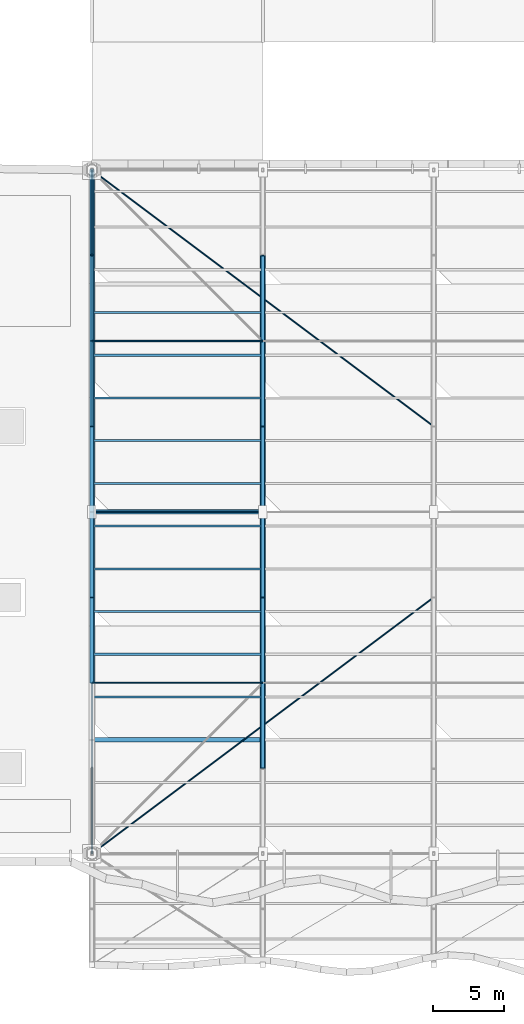
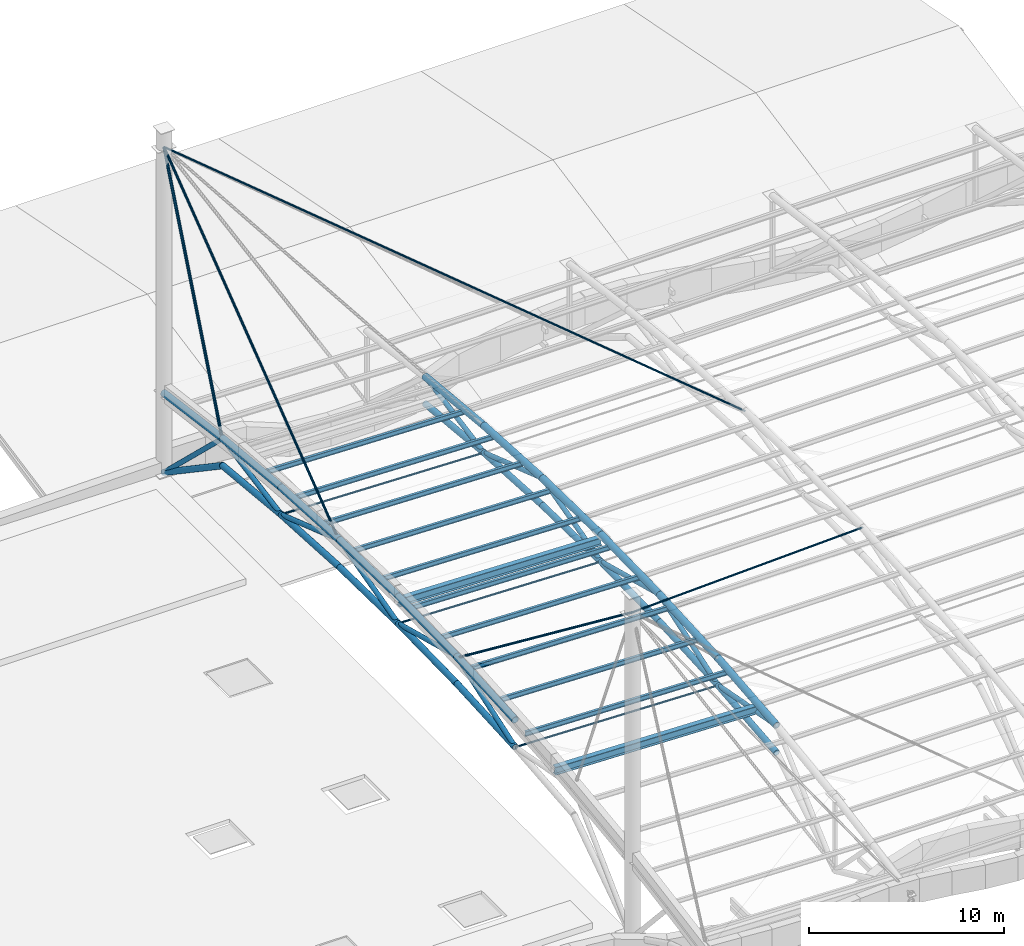
# One storey, part 5 of 29: 54 members, 2 beams.
"""IFC4 building model written with IfcOpenShell, lengths in metres."""

from ifc_helpers import new_model, si_unit, direction, frame, origin, origin_2d, place, context, subcontext, project, spatial, hollow_circle, i_section, extrude, material, material_profile, profile_set, type_object, element, save


model = new_model("IFC4")

# Units and contexts
model_context = context("Model", 3, precision=1e-05, world=origin(), true_north=direction((0.0, 1.0)))
body_context = subcontext(model_context, "Body", "Model", "MODEL_VIEW")
ifc_project = project(units=[si_unit("LENGTHUNIT", "METRE"), si_unit("AREAUNIT", "SQUARE_METRE"), si_unit("VOLUMEUNIT", "CUBIC_METRE"), si_unit("PLANEANGLEUNIT", "RADIAN"), si_unit("MASSUNIT", "GRAM", prefix="KILO")], contexts=[model_context])

# Site, building, storey
site_placement = place(None, origin())
site = spatial("IfcSite", under=ifc_project, at=site_placement, CompositionType="ELEMENT")
building_placement = place(site_placement, origin())
building = spatial("IfcBuilding", under=site, at=building_placement, Name="Keelwater Ferry Terminal", CompositionType="ELEMENT")
storey_placement = place(building_placement, frame((0.0, 0.0, 27.89990234375)))
storey = spatial("IfcBuildingStorey", under=building, at=storey_placement, Name="RF", CompositionType="ELEMENT", Elevation=27.89990234375)

# Members
ifc_material_1 = material(Name="Steel S355", Category="steel")
ifc_material_profile_1 = material_profile(ifc_material_1, hollow_circle(Radius=0.136474609375, WallThickness=0.012451171875, at=origin_2d()), Name="CHS 273x12.5")
ifc_profile_set_1 = profile_set([ifc_material_profile_1], Name="Steel S355")
member_type_1 = type_object("IfcMemberType", Name="BR2 CHS 273x12.5", PredefinedType="BRACE", material=ifc_profile_set_1)
member_1_placement = place(storey_placement, frame((48.0, 54.0, -8.411865234375), z_axis=(0.0, 0.946488800041, 0.322736659519), x_axis=(-1.0, 0.0, 0.0)))
element("IfcMember", 1, at=member_1_placement, inside=storey, type_object=member_type_1, Name="Structural Member MB-RF-0017", PredefinedType="BRACE", context=body_context, shape_type="SweptSolid", body=[
    extrude(hollow_circle(Radius=0.136474609375, WallThickness=0.012451171875, at=origin_2d()), origin(), (0.0, 0.0, 1.0), 6.339111328125),
])
for number, where, z_axis, x_axis, name in (
    (2, (48.0, 60.0, -6.365966796875), (0.0, 0.96687447052, -0.255252342315), (-1.0, 0.0, 0.0), "Structural Member MB-RF-0020"),
    (3, (48.0, 66.0, -7.949951171875), (0.0, 0.96687447052, 0.255252342315), (-1.0, 0.0, 0.0), "Structural Member MB-RF-0023"),
):
    element("IfcMember", number, at=place(storey_placement, frame(where, z_axis=z_axis, x_axis=x_axis)), inside=storey, type_object=member_type_1, Name=name, PredefinedType="BRACE", context=body_context, shape_type="SweptSolid", body=[
        extrude(hollow_circle(Radius=0.136474609375, WallThickness=0.012451171875, at=origin_2d()), origin(), (0.0, 0.0, 1.0), 6.20556640625),
    ])
member_2_placement = place(storey_placement, frame((48.0, 72.0, -6.365966796875), z_axis=(0.0, 0.946488800041, -0.322736659519), x_axis=(-1.0, 0.0, 0.0)))
element("IfcMember", 4, at=member_2_placement, inside=storey, type_object=member_type_1, Name="Structural Member MB-RF-0026", PredefinedType="BRACE", context=body_context, shape_type="SweptSolid", body=[
    extrude(hollow_circle(Radius=0.136474609375, WallThickness=0.012451171875, at=origin_2d()), origin(), (0.0, 0.0, 1.0), 6.339111328125),
])
member_3_placement = place(storey_placement, frame((48.0, 78.0, -8.411865234375), z_axis=(0.0, 0.982995131621, 0.183631618216), x_axis=(-1.0, 0.0, 0.0)))
element("IfcMember", 5, at=member_3_placement, inside=storey, type_object=member_type_1, Name="Structural Member MB-RF-0029", PredefinedType="BRACE", context=body_context, shape_type="SweptSolid", body=[
    extrude(hollow_circle(Radius=0.136474609375, WallThickness=0.012451171875, at=origin_2d()), origin(), (0.0, 0.0, 1.0), 6.103759765625),
])
member_4_placement = place(storey_placement, frame((48.0, 84.0, -7.291015625), z_axis=(0.0, 0.721460060019, -0.692456050445), x_axis=(-1.0, 0.0, 0.0)))
element("IfcMember", 6, at=member_4_placement, inside=storey, type_object=member_type_1, Name="Structural Member MB-RF-0032", PredefinedType="BRACE", context=body_context, shape_type="SweptSolid", body=[
    extrude(hollow_circle(Radius=0.136474609375, WallThickness=0.012451171875, at=origin_2d()), origin(), (0.0, 0.0, 1.0), 8.31640625),
])
member_5_placement = place(storey_placement, frame((60.0, 48.0, -7.6240234375), z_axis=(0.0, 0.982966240194, -0.183786209053), x_axis=(-1.0, 0.0, 0.0)))
element("IfcMember", 7, at=member_5_placement, inside=storey, type_object=member_type_1, Name="Structural Member MB-RF-0046", PredefinedType="BRACE", context=body_context, shape_type="SweptSolid", body=[
    extrude(hollow_circle(Radius=0.136474609375, WallThickness=0.012451171875, at=origin_2d()), origin(), (0.0, 0.0, 1.0), 6.10400390625),
])
member_6_placement = place(storey_placement, frame((60.0, 54.0, -8.745849609375), z_axis=(0.0, 0.946441734907, 0.322874654356), x_axis=(-1.0, 0.0, 0.0)))
element("IfcMember", 8, at=member_6_placement, inside=storey, type_object=member_type_1, Name="Structural Member MB-RF-0049", PredefinedType="BRACE", context=body_context, shape_type="SweptSolid", body=[
    extrude(hollow_circle(Radius=0.136474609375, WallThickness=0.012451171875, at=origin_2d()), origin(), (0.0, 0.0, 1.0), 6.339599609375),
])
for number, where, z_axis, x_axis, name in (
    (9, (60.0, 60.0, -6.698974609375), (0.0, 0.966835622723, -0.255399449166), (-1.0, 0.0, 0.0), "Structural Member MB-RF-0052"),
    (10, (60.0, 66.0, -8.283935546875), (0.0, 0.966835622723, 0.255399449166), (-1.0, 0.0, 0.0), "Structural Member MB-RF-0055"),
):
    element("IfcMember", number, at=place(storey_placement, frame(where, z_axis=z_axis, x_axis=x_axis)), inside=storey, type_object=member_type_1, Name=name, PredefinedType="BRACE", context=body_context, shape_type="SweptSolid", body=[
        extrude(hollow_circle(Radius=0.136474609375, WallThickness=0.012451171875, at=origin_2d()), origin(), (0.0, 0.0, 1.0), 6.205810546875),
    ])
member_7_placement = place(storey_placement, frame((60.0, 72.0, -6.698974609375), z_axis=(0.0, 0.946441734907, -0.322874654356), x_axis=(-1.0, 0.0, 0.0)))
element("IfcMember", 11, at=member_7_placement, inside=storey, type_object=member_type_1, Name="Structural Member MB-RF-0058", PredefinedType="BRACE", context=body_context, shape_type="SweptSolid", body=[
    extrude(hollow_circle(Radius=0.136474609375, WallThickness=0.012451171875, at=origin_2d()), origin(), (0.0, 0.0, 1.0), 6.339599609375),
])
member_8_placement = place(storey_placement, frame((60.0, 78.0, -8.745849609375), z_axis=(0.0, 0.982966240194, 0.183786209053), x_axis=(-1.0, 0.0, 0.0)))
element("IfcMember", 12, at=member_8_placement, inside=storey, type_object=member_type_1, Name="Structural Member MB-RF-0061", PredefinedType="BRACE", context=body_context, shape_type="SweptSolid", body=[
    extrude(hollow_circle(Radius=0.136474609375, WallThickness=0.012451171875, at=origin_2d()), origin(), (0.0, 0.0, 1.0), 6.10400390625),
])

# Beams
ifc_material_2 = material(Name="Steel S355", Category="steel")
ifc_material_profile_2 = material_profile(ifc_material_2, i_section(OverallWidth=0.300048828125, OverallDepth=0.5, WebThickness=0.014404296875, FlangeThickness=0.028076171875, at=origin_2d()), Name="HEB 500")
ifc_profile_set_2 = profile_set([ifc_material_profile_2], Name="Steel S355")
beam_type = type_object("IfcBeamType", Name="G5 HEB 500", PredefinedType="BEAM", material=ifc_profile_set_2)
for number, where, z_axis, x_axis, name in (
    (13, (48.0, 50.0, -7.421875), (0.999612913888, 0.0, -0.027821257857), (0.0, 1.0, 0.0), "Beam BM-RF-1659"),
    (14, (48.0, 66.0, -6.599853515625), (0.999612913888, 0.0, -0.027821257857), (0.0, 1.0, 0.0), "Beam BM-RF-1661"),
):
    element("IfcBeam", number, at=place(storey_placement, frame(where, z_axis=z_axis, x_axis=x_axis)), inside=storey, type_object=beam_type, Name=name, PredefinedType="BEAM", context=body_context, shape_type="SweptSolid", body=[
        extrude(i_section(OverallWidth=0.300048828125, OverallDepth=0.5, WebThickness=0.014404296875, FlangeThickness=0.028076171875, at=origin_2d()), origin(), (0.0, 0.0, 1.0), 12.004638671875),
    ])

# Members
ifc_material_3 = material(Name="Steel S355", Category="steel")
ifc_material_profile_3 = material_profile(ifc_material_3, i_section(OverallWidth=0.14990234375, OverallDepth=0.300048828125, WebThickness=0.007080078125, FlangeThickness=0.0107421875, at=origin_2d()), Name="IPE 300")
ifc_profile_set_3 = profile_set([ifc_material_profile_3], Name="Steel S355")
member_type_2 = type_object("IfcMemberType", Name="PR1 IPE 300", PredefinedType="PURLIN", material=ifc_profile_set_3)
for number, where, z_axis, x_axis, name in (
    (15, (48.0, 53.0, -6.962890625), (0.999615172935, 0.0, -0.02773997184), (0.0, 1.0, 0.0), "Structural Member MB-RF-0259"),
    (16, (48.0, 56.0, -6.740966796875), (0.999612913888, 0.0, -0.027821257857), (0.0, 1.0, 0.0), "Structural Member MB-RF-0260"),
    (17, (48.0, 59.0, -6.576904296875), (0.999612913888, 0.0, -0.027821257857), (0.0, 1.0, 0.0), "Structural Member MB-RF-0261"),
    (18, (48.0, 62.0, -6.470947265625), (0.999612913888, 0.0, -0.027821257857), (0.0, 1.0, 0.0), "Structural Member MB-RF-0262"),
    (19, (48.0, 65.0, -6.4228515625), (0.999612913888, 0.0, -0.027821257857), (0.0, 1.0, 0.0), "Structural Member MB-RF-0263"),
    (20, (48.0, 68.0, -6.432861328125), (0.999615172935, 0.0, -0.02773997184), (0.0, 1.0, 0.0), "Structural Member MB-RF-0264"),
    (21, (48.0, 71.0, -6.5), (0.999612913888, 0.0, -0.027821257857), (0.0, 1.0, 0.0), "Structural Member MB-RF-0265"),
    (22, (48.0, 74.0, -6.6259765625), (0.999615172935, 0.0, -0.02773997184), (0.0, 1.0, 0.0), "Structural Member MB-RF-0266"),
    (23, (48.0, 77.0, -6.808837890625), (0.999615172935, 0.0, -0.02773997184), (0.0, 1.0, 0.0), "Structural Member MB-RF-0267"),
    (24, (48.0, 80.0, -7.0498046875), (0.999615172935, 0.0, -0.02773997184), (0.0, 1.0, 0.0), "Structural Member MB-RF-0268"),
):
    element("IfcMember", number, at=place(storey_placement, frame(where, z_axis=z_axis, x_axis=x_axis)), inside=storey, type_object=member_type_2, Name=name, PredefinedType="PURLIN", context=body_context, shape_type="SweptSolid", body=[
        extrude(i_section(OverallWidth=0.14990234375, OverallDepth=0.300048828125, WebThickness=0.007080078125, FlangeThickness=0.0107421875, at=origin_2d()), origin(), (0.0, 0.0, 1.0), 12.004638671875),
    ])
ifc_material_4 = material(Name="Steel S460", Category="steel")
ifc_material_profile_4 = material_profile(ifc_material_4, hollow_circle(Radius=0.084228515625, WallThickness=0.012451171875, at=origin_2d()), Name="CHS 168.3x12.5")
ifc_profile_set_4 = profile_set([ifc_material_profile_4], Name="Steel S460")
member_type_3 = type_object("IfcMemberType", Name="SC1E CHS 168.3x12.5", PredefinedType="USERDEFINED", material=ifc_profile_set_4)
member_9_placement = place(storey_placement, frame((48.0, 90.0, 7.300048828125), z_axis=(0.0, -0.378097227373, -0.925765891926), x_axis=(1.0, 0.0, 0.0)))
element("IfcMember", 25, at=member_9_placement, inside=storey, type_object=member_type_3, Name="Structural Member MB-RF-0393", ObjectType="CABLE", PredefinedType="USERDEFINED", context=body_context, shape_type="SweptSolid", body=[
    extrude(hollow_circle(Radius=0.084228515625, WallThickness=0.012451171875, at=origin_2d()), origin(), (0.0, 0.0, 1.0), 15.868896484375),
])
ifc_material_5 = material(Name="Steel S460", Category="steel")
ifc_material_profile_5 = material_profile(ifc_material_5, hollow_circle(Radius=0.06982421875, WallThickness=0.010009765625, at=origin_2d()), Name="CHS 139.7x10")
ifc_profile_set_5 = profile_set([ifc_material_profile_5], Name="Steel S460")
member_type_4 = type_object("IfcMemberType", Name="SC2E CHS 139.7x10", PredefinedType="USERDEFINED", material=ifc_profile_set_5)
for number, where, z_axis, x_axis, name in (
    (26, (48.0, 42.0, 7.300048828125), (0.0, 0.794333061913, -0.607482499132), (-1.0, 0.0, 0.0), "Structural Member MB-RF-0386"),
    (27, (48.0, 90.0, 7.300048828125), (0.0, -0.794333061913, -0.607482499132), (1.0, 0.0, 0.0), "Structural Member MB-RF-0394"),
):
    element("IfcMember", number, at=place(storey_placement, frame(where, z_axis=z_axis, x_axis=x_axis)), inside=storey, type_object=member_type_4, Name=name, ObjectType="CABLE", PredefinedType="USERDEFINED", context=body_context, shape_type="SweptSolid", body=[
        extrude(hollow_circle(Radius=0.06982421875, WallThickness=0.010009765625, at=origin_2d()), origin(), (0.0, 0.0, 1.0), 22.660400390625),
    ])
ifc_material_6 = material(Name="Steel S460", Category="steel")
ifc_material_profile_6 = material_profile(ifc_material_6, hollow_circle(Radius=0.05712890625, WallThickness=0.010009765625, at=origin_2d()), Name="CHS 114.3x10")
ifc_profile_set_6 = profile_set([ifc_material_profile_6], Name="Steel S460")
member_type_5 = type_object("IfcMemberType", Name="SC3 CHS 114.3x10", PredefinedType="USERDEFINED", material=ifc_profile_set_6)
for number, where, z_axis, x_axis, name in (
    (28, (48.0, 54.0, -8.411865234375), (0.999612913888, 0.0, -0.027821257857), (0.0, 1.0, 0.0), "Structural Member MB-RF-0413"),
    (29, (48.0, 66.0, -7.949951171875), (0.999612913888, 0.0, -0.027821257857), (0.0, 1.0, 0.0), "Structural Member MB-RF-0414"),
    (30, (48.0, 78.0, -8.411865234375), (0.999612913888, 0.0, -0.027821257857), (0.0, 1.0, 0.0), "Structural Member MB-RF-0415"),
):
    element("IfcMember", number, at=place(storey_placement, frame(where, z_axis=z_axis, x_axis=x_axis)), inside=storey, type_object=member_type_5, Name=name, ObjectType="CABLE", PredefinedType="USERDEFINED", context=body_context, shape_type="SweptSolid", body=[
        extrude(hollow_circle(Radius=0.05712890625, WallThickness=0.010009765625, at=origin_2d()), origin(), (0.0, 0.0, 1.0), 12.004638671875),
    ])
ifc_material_7 = material(Name="Steel S460", Category="steel")
ifc_material_profile_7 = material_profile(ifc_material_7, hollow_circle(Radius=0.05712890625, WallThickness=0.010009765625, at=origin_2d()), Name="CHS 114.3x10")
ifc_profile_set_7 = profile_set([ifc_material_profile_7], Name="Steel S460")
member_type_6 = type_object("IfcMemberType", Name="SC3E CHS 114.3x10", PredefinedType="USERDEFINED", material=ifc_profile_set_7)
for number, where, z_axis, x_axis, name in (
    (31, (48.0, 42.0, 7.300048828125), (0.724826663576, 0.543619997682, -0.423206339613), (-0.6, 0.8, 0.0), "Structural Member MB-RF-0392"),
    (32, (48.0, 90.0, 7.300048828125), (0.724826663576, -0.543619997682, -0.423206339613), (0.6, 0.8, 0.0), "Structural Member MB-RF-0398"),
):
    element("IfcMember", number, at=place(storey_placement, frame(where, z_axis=z_axis, x_axis=x_axis)), inside=storey, type_object=member_type_6, Name=name, ObjectType="CABLE", PredefinedType="USERDEFINED", context=body_context, shape_type="SweptSolid", body=[
        extrude(hollow_circle(Radius=0.05712890625, WallThickness=0.010009765625, at=origin_2d()), origin(), (0.0, 0.0, 1.0), 33.111328125),
    ])
ifc_material_8 = material(Name="Steel S355", Category="steel")
ifc_material_profile_8 = material_profile(ifc_material_8, hollow_circle(Radius=0.203125, WallThickness=0.01611328125, at=origin_2d()), Name="CHS 406.4x16")
ifc_profile_set_8 = profile_set([ifc_material_profile_8], Name="Steel S355")
member_type_7 = type_object("IfcMemberType", Name="TC1 CHS 406.4x16", PredefinedType="CHORD", material=ifc_profile_set_8)
member_10_placement = place(storey_placement, frame((48.0, 54.0, -6.7119140625), z_axis=(0.0, 0.998341917567, 0.05756227609), x_axis=(-1.0, 0.0, 0.0)))
element("IfcMember", 33, at=member_10_placement, inside=storey, type_object=member_type_7, Name="Structural Member MB-RF-0015", PredefinedType="CHORD", context=body_context, shape_type="SweptSolid", body=[
    extrude(hollow_circle(Radius=0.203125, WallThickness=0.01611328125, at=origin_2d()), origin(), (0.0, 0.0, 1.0), 6.010009765625),
])
for number, where, z_axis, x_axis, name in (
    (34, (48.0, 60.0, -6.365966796875), (0.0, 0.999813270399, 0.019324190407), (-1.0, 0.0, 0.0), "Structural Member MB-RF-0018"),
    (35, (48.0, 66.0, -6.25), (0.0, 0.999813270399, -0.019324190407), (-1.0, 0.0, 0.0), "Structural Member MB-RF-0021"),
):
    element("IfcMember", number, at=place(storey_placement, frame(where, z_axis=z_axis, x_axis=x_axis)), inside=storey, type_object=member_type_7, Name=name, PredefinedType="CHORD", context=body_context, shape_type="SweptSolid", body=[
        extrude(hollow_circle(Radius=0.203125, WallThickness=0.01611328125, at=origin_2d()), origin(), (0.0, 0.0, 1.0), 6.001220703125),
    ])
member_11_placement = place(storey_placement, frame((48.0, 72.0, -6.365966796875), z_axis=(0.0, 0.998341917567, -0.05756227609), x_axis=(-1.0, 0.0, 0.0)))
element("IfcMember", 36, at=member_11_placement, inside=storey, type_object=member_type_7, Name="Structural Member MB-RF-0024", PredefinedType="CHORD", context=body_context, shape_type="SweptSolid", body=[
    extrude(hollow_circle(Radius=0.203125, WallThickness=0.01611328125, at=origin_2d()), origin(), (0.0, 0.0, 1.0), 6.010009765625),
])
member_12_placement = place(storey_placement, frame((48.0, 78.0, -6.7119140625), z_axis=(0.0, 0.995374532886, -0.096070491211), x_axis=(-1.0, 0.0, 0.0)))
element("IfcMember", 37, at=member_12_placement, inside=storey, type_object=member_type_7, Name="Structural Member MB-RF-0027", PredefinedType="CHORD", context=body_context, shape_type="SweptSolid", body=[
    extrude(hollow_circle(Radius=0.203125, WallThickness=0.01611328125, at=origin_2d()), origin(), (0.0, 0.0, 1.0), 6.02783203125),
])
member_13_placement = place(storey_placement, frame((48.0, 84.0, -7.291015625), z_axis=(0.0, 0.991035625786, -0.133597860849), x_axis=(-1.0, 0.0, 0.0)))
element("IfcMember", 38, at=member_13_placement, inside=storey, type_object=member_type_7, Name="Structural Member MB-RF-0030", PredefinedType="CHORD", context=body_context, shape_type="SweptSolid", body=[
    extrude(hollow_circle(Radius=0.203125, WallThickness=0.01611328125, at=origin_2d()), origin(), (0.0, 0.0, 1.0), 6.05419921875),
])
member_14_placement = place(storey_placement, frame((60.0, 48.0, -7.6240234375), z_axis=(0.0, 0.995390012341, 0.095909975147), x_axis=(-1.0, 0.0, 0.0)))
element("IfcMember", 39, at=member_14_placement, inside=storey, type_object=member_type_7, Name="Structural Member MB-RF-0044", PredefinedType="CHORD", context=body_context, shape_type="SweptSolid", body=[
    extrude(hollow_circle(Radius=0.203125, WallThickness=0.01611328125, at=origin_2d()), origin(), (0.0, 0.0, 1.0), 6.02783203125),
])
member_15_placement = place(storey_placement, frame((60.0, 54.0, -7.0458984375), z_axis=(0.0, 0.998332566702, 0.057724225964), x_axis=(-1.0, 0.0, 0.0)))
element("IfcMember", 40, at=member_15_placement, inside=storey, type_object=member_type_7, Name="Structural Member MB-RF-0047", PredefinedType="CHORD", context=body_context, shape_type="SweptSolid", body=[
    extrude(hollow_circle(Radius=0.203125, WallThickness=0.01611328125, at=origin_2d()), origin(), (0.0, 0.0, 1.0), 6.010009765625),
])
for number, where, z_axis, x_axis, name in (
    (41, (60.0, 60.0, -6.698974609375), (0.0, 0.999816401214, 0.019161520385), (-1.0, 0.0, 0.0), "Structural Member MB-RF-0050"),
    (42, (60.0, 66.0, -6.583984375), (0.0, 0.999816401214, -0.019161520385), (-1.0, 0.0, 0.0), "Structural Member MB-RF-0053"),
):
    element("IfcMember", number, at=place(storey_placement, frame(where, z_axis=z_axis, x_axis=x_axis)), inside=storey, type_object=member_type_7, Name=name, PredefinedType="CHORD", context=body_context, shape_type="SweptSolid", body=[
        extrude(hollow_circle(Radius=0.203125, WallThickness=0.01611328125, at=origin_2d()), origin(), (0.0, 0.0, 1.0), 6.001220703125),
    ])
member_16_placement = place(storey_placement, frame((60.0, 72.0, -6.698974609375), z_axis=(0.0, 0.998332566702, -0.057724225964), x_axis=(-1.0, 0.0, 0.0)))
element("IfcMember", 43, at=member_16_placement, inside=storey, type_object=member_type_7, Name="Structural Member MB-RF-0056", PredefinedType="CHORD", context=body_context, shape_type="SweptSolid", body=[
    extrude(hollow_circle(Radius=0.203125, WallThickness=0.01611328125, at=origin_2d()), origin(), (0.0, 0.0, 1.0), 6.010009765625),
])
member_17_placement = place(storey_placement, frame((60.0, 78.0, -7.0458984375), z_axis=(0.0, 0.995390012341, -0.095909975147), x_axis=(-1.0, 0.0, 0.0)))
element("IfcMember", 44, at=member_17_placement, inside=storey, type_object=member_type_7, Name="Structural Member MB-RF-0059", PredefinedType="CHORD", context=body_context, shape_type="SweptSolid", body=[
    extrude(hollow_circle(Radius=0.203125, WallThickness=0.01611328125, at=origin_2d()), origin(), (0.0, 0.0, 1.0), 6.02783203125),
])
ifc_material_9 = material(Name="Steel S355", Category="steel")
ifc_material_profile_9 = material_profile(ifc_material_9, hollow_circle(Radius=0.177734375, WallThickness=0.01611328125, at=origin_2d()), Name="CHS 355.6x16")
ifc_profile_set_9 = profile_set([ifc_material_profile_9], Name="Steel S355")
member_type_8 = type_object("IfcMemberType", Name="TC2 CHS 355.6x16", PredefinedType="CHORD", material=ifc_profile_set_9)
member_18_placement = place(storey_placement, frame((48.0, 54.0, -8.411865234375), z_axis=(0.0, 0.998341917567, 0.05756227609), x_axis=(-1.0, 0.0, 0.0)))
element("IfcMember", 45, at=member_18_placement, inside=storey, type_object=member_type_8, Name="Structural Member MB-RF-0016", PredefinedType="CHORD", context=body_context, shape_type="SweptSolid", body=[
    extrude(hollow_circle(Radius=0.177734375, WallThickness=0.01611328125, at=origin_2d()), origin(), (0.0, 0.0, 1.0), 6.010009765625),
])
for number, where, z_axis, x_axis, name in (
    (46, (48.0, 60.0, -8.06591796875), (0.0, 0.999813270399, 0.019324190407), (-1.0, 0.0, 0.0), "Structural Member MB-RF-0019"),
    (47, (48.0, 66.0, -7.949951171875), (0.0, 0.999813270399, -0.019324190407), (-1.0, 0.0, 0.0), "Structural Member MB-RF-0022"),
):
    element("IfcMember", number, at=place(storey_placement, frame(where, z_axis=z_axis, x_axis=x_axis)), inside=storey, type_object=member_type_8, Name=name, PredefinedType="CHORD", context=body_context, shape_type="SweptSolid", body=[
        extrude(hollow_circle(Radius=0.177734375, WallThickness=0.01611328125, at=origin_2d()), origin(), (0.0, 0.0, 1.0), 6.001220703125),
    ])
member_19_placement = place(storey_placement, frame((48.0, 72.0, -8.06591796875), z_axis=(0.0, 0.998341917567, -0.05756227609), x_axis=(-1.0, 0.0, 0.0)))
element("IfcMember", 48, at=member_19_placement, inside=storey, type_object=member_type_8, Name="Structural Member MB-RF-0025", PredefinedType="CHORD", context=body_context, shape_type="SweptSolid", body=[
    extrude(hollow_circle(Radius=0.177734375, WallThickness=0.01611328125, at=origin_2d()), origin(), (0.0, 0.0, 1.0), 6.010009765625),
])
member_20_placement = place(storey_placement, frame((48.0, 78.0, -8.411865234375), z_axis=(0.0, 0.995374532886, -0.096070491211), x_axis=(-1.0, 0.0, 0.0)))
element("IfcMember", 49, at=member_20_placement, inside=storey, type_object=member_type_8, Name="Structural Member MB-RF-0028", PredefinedType="CHORD", context=body_context, shape_type="SweptSolid", body=[
    extrude(hollow_circle(Radius=0.177734375, WallThickness=0.01611328125, at=origin_2d()), origin(), (0.0, 0.0, 1.0), 6.02783203125),
])
member_21_placement = place(storey_placement, frame((48.0, 84.0, -8.990966796875), z_axis=(0.0, 0.828282493048, -0.560310727821), x_axis=(-1.0, 0.0, 0.0)))
element("IfcMember", 50, at=member_21_placement, inside=storey, type_object=member_type_8, Name="Structural Member MB-RF-0031", PredefinedType="CHORD", context=body_context, shape_type="SweptSolid", body=[
    extrude(hollow_circle(Radius=0.177734375, WallThickness=0.01611328125, at=origin_2d()), origin(), (0.0, 0.0, 1.0), 7.243896484375),
])
member_22_placement = place(storey_placement, frame((60.0, 48.0, -9.323974609375), z_axis=(0.0, 0.995390012341, 0.095909975147), x_axis=(-1.0, 0.0, 0.0)))
element("IfcMember", 51, at=member_22_placement, inside=storey, type_object=member_type_8, Name="Structural Member MB-RF-0045", PredefinedType="CHORD", context=body_context, shape_type="SweptSolid", body=[
    extrude(hollow_circle(Radius=0.177734375, WallThickness=0.01611328125, at=origin_2d()), origin(), (0.0, 0.0, 1.0), 6.02783203125),
])
member_23_placement = place(storey_placement, frame((60.0, 54.0, -8.745849609375), z_axis=(0.0, 0.998332566702, 0.057724225964), x_axis=(-1.0, 0.0, 0.0)))
element("IfcMember", 52, at=member_23_placement, inside=storey, type_object=member_type_8, Name="Structural Member MB-RF-0048", PredefinedType="CHORD", context=body_context, shape_type="SweptSolid", body=[
    extrude(hollow_circle(Radius=0.177734375, WallThickness=0.01611328125, at=origin_2d()), origin(), (0.0, 0.0, 1.0), 6.010009765625),
])
for number, where, z_axis, x_axis, name in (
    (53, (60.0, 60.0, -8.39892578125), (0.0, 0.999816401214, 0.019161520385), (-1.0, 0.0, 0.0), "Structural Member MB-RF-0051"),
    (54, (60.0, 66.0, -8.283935546875), (0.0, 0.999816401214, -0.019161520385), (-1.0, 0.0, 0.0), "Structural Member MB-RF-0054"),
):
    element("IfcMember", number, at=place(storey_placement, frame(where, z_axis=z_axis, x_axis=x_axis)), inside=storey, type_object=member_type_8, Name=name, PredefinedType="CHORD", context=body_context, shape_type="SweptSolid", body=[
        extrude(hollow_circle(Radius=0.177734375, WallThickness=0.01611328125, at=origin_2d()), origin(), (0.0, 0.0, 1.0), 6.001220703125),
    ])
member_24_placement = place(storey_placement, frame((60.0, 72.0, -8.39892578125), z_axis=(0.0, 0.998332566702, -0.057724225964), x_axis=(-1.0, 0.0, 0.0)))
element("IfcMember", 55, at=member_24_placement, inside=storey, type_object=member_type_8, Name="Structural Member MB-RF-0057", PredefinedType="CHORD", context=body_context, shape_type="SweptSolid", body=[
    extrude(hollow_circle(Radius=0.177734375, WallThickness=0.01611328125, at=origin_2d()), origin(), (0.0, 0.0, 1.0), 6.010009765625),
])
member_25_placement = place(storey_placement, frame((60.0, 78.0, -8.745849609375), z_axis=(0.0, 0.995390012341, -0.095909975147), x_axis=(-1.0, 0.0, 0.0)))
element("IfcMember", 56, at=member_25_placement, inside=storey, type_object=member_type_8, Name="Structural Member MB-RF-0060", PredefinedType="CHORD", context=body_context, shape_type="SweptSolid", body=[
    extrude(hollow_circle(Radius=0.177734375, WallThickness=0.01611328125, at=origin_2d()), origin(), (0.0, 0.0, 1.0), 6.02783203125),
])

save(model, "model.ifc")
